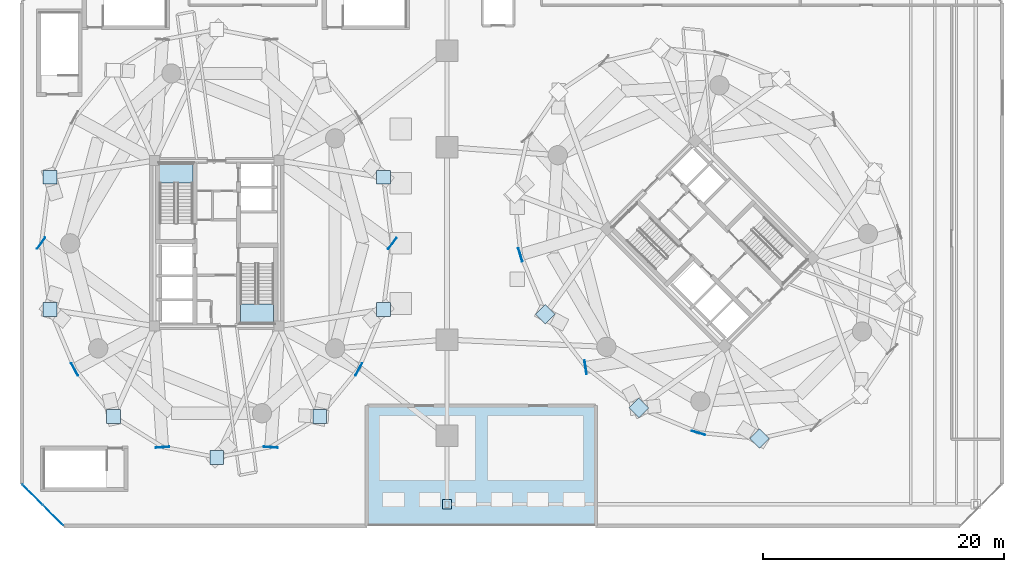
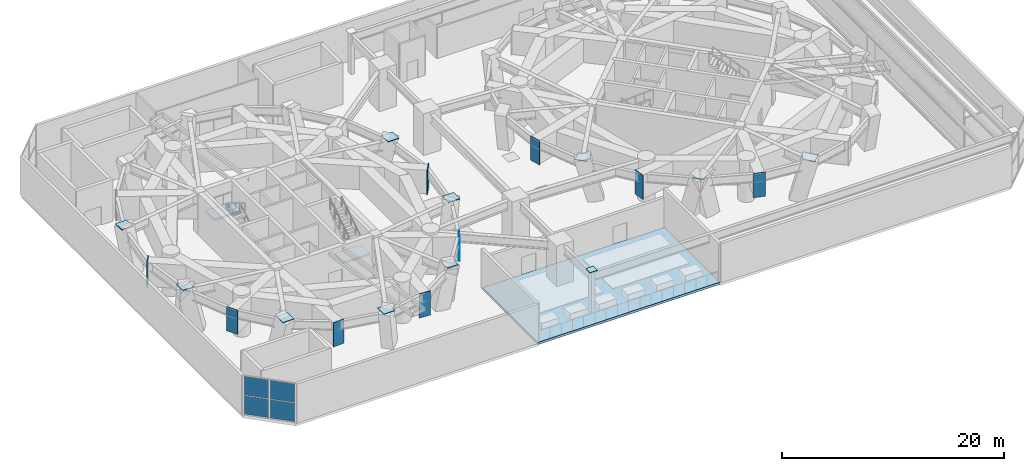
# One storey, part 13 of 25: 24 plates, 3 slabs, 3 elements without a shape of their own.
"""IFC4 building model written with IfcOpenShell, lengths in metres."""

from ifc_helpers import new_model, si_unit, direction, frame, origin, origin_2d, place, context, subcontext, project, spatial, polyline, rectangle, outline, extrude, source, transform, mapped, material, layer, layer_set, type_object, element, aggregate, save


model = new_model("IFC4")

# Units and contexts
model_context = context("Model", 3, precision=1e-05, world=origin(), true_north=direction((0.0, 1.0)))
body_context = subcontext(model_context, "Body", "Model", "MODEL_VIEW")
ifc_project = project(units=[si_unit("LENGTHUNIT", "METRE"), si_unit("AREAUNIT", "SQUARE_METRE"), si_unit("VOLUMEUNIT", "CUBIC_METRE"), si_unit("PLANEANGLEUNIT", "RADIAN"), si_unit("MASSUNIT", "GRAM", prefix="KILO")], contexts=[model_context])

# Site, building, storey
site_placement = place(None, origin())
site = spatial("IfcSite", under=ifc_project, at=site_placement, CompositionType="ELEMENT")
building_placement = place(site_placement, origin())
building = spatial("IfcBuilding", under=site, at=building_placement, Name="Cununo Teusaquillo Station Towers", CompositionType="ELEMENT")
storey_placement = place(building_placement, frame((0.0, 0.0, 17.39990234375)))
storey = spatial("IfcBuildingStorey", under=building, at=storey_placement, Name="L04", CompositionType="ELEMENT", Elevation=17.39990234375)

# Stair, slab
ifc_material_1 = material(Name="Concrete C50/60", Category="concrete")
stair_type = type_object("IfcStairType", Name="ST-TWR-1300", PredefinedType="HALF_TURN_STAIR", material=ifc_material_1)
stair_1_placement = place(storey_placement, origin())
stair_1 = element("IfcStair", 1, at=stair_1_placement, inside=storey, type_object=stair_type, Name="L04 Tower A Protected Core Exit Stair 1", PredefinedType="HALF_TURN_STAIR")
ifc_material_2 = material(Name="Concrete C50/60", Category="concrete")
ifc_layer_1 = layer(ifc_material_2, 0.199951171875)
ifc_layer_set_1 = layer_set([ifc_layer_1], Name="Concrete C50/60")
slab_type_1 = type_object("IfcSlabType", Name="SLB-STAIR-LND", PredefinedType="LANDING", material=ifc_layer_set_1)
slab_1_placement = place(storey_placement, frame((0.0, 0.0, 2.10009765625)))
slab_1 = element("IfcSlab", 2, at=slab_1_placement, type_object=slab_type_1, Name="ST-T1-1 landing 1", PredefinedType="LANDING", context=body_context, shape_type="SweptSolid", body=[
    extrude(outline(polyline([(14.52001953125, 29.530029296875), (14.52001953125, 31.159912109375), (11.760009765625, 31.159912109375), (11.760009765625, 29.530029296875), (14.52001953125, 29.530029296875)])), origin(), (0.0, 0.0, 1.0), 0.199951171875),
])
aggregate(stair_1, [slab_1])

stair_2_placement = place(storey_placement, origin())
stair_2 = element("IfcStair", 3, at=stair_2_placement, inside=storey, type_object=stair_type, Name="L04 Tower A Protected Core Exit Stair 2", PredefinedType="HALF_TURN_STAIR")
slab_2_placement = place(storey_placement, frame((0.0, 0.0, 2.10009765625)))
slab_2 = element("IfcSlab", 4, at=slab_2_placement, type_object=slab_type_1, Name="ST-T1-2 landing 1", PredefinedType="LANDING", context=body_context, shape_type="SweptSolid", body=[
    extrude(outline(polyline([(18.47998046875, 19.469970703125), (18.47998046875, 17.840087890625), (21.239990234375, 17.840087890625), (21.239990234375, 19.469970703125), (18.47998046875, 19.469970703125)])), origin(), (0.0, 0.0, 1.0), 0.199951171875),
])
aggregate(stair_2, [slab_2])

# Slab
ifc_material_3 = material(Name="Concrete C50/60", Category="concrete")
ifc_layer_2 = layer(ifc_material_3, 0.25)
ifc_layer_set_2 = layer_set([ifc_layer_2], Name="Concrete C50/60")
slab_type_2 = type_object("IfcSlabType", Name="SLB-TERR-250", PredefinedType="ROOF", material=ifc_layer_set_2)
slab_3_placement = place(storey_placement, frame((0.0, 0.0, -0.25)))
element("IfcSlab", 5, at=slab_3_placement, inside=storey, type_object=slab_type_2, Name="L04 Landscaped Podium Roof Terrace Slab", PredefinedType="ROOF", context=body_context, shape_type="SweptSolid", body=[
    extrude(outline(polyline([(29.0, 1.0048828125), (48.0, 1.0048828125), (48.0, 10.9951171875), (29.0, 10.9951171875), (29.0, 1.0048828125)])), origin(), (0.0, 0.0, 1.0), 0.25),
])

# Plates
ifc_material_4 = material(Name="Steel ASTM A572 Grade 50", Category="steel")
ifc_layer_3 = layer(ifc_material_4, 0.06005859375)
ifc_layer_set_3 = layer_set([ifc_layer_3], Name="Steel ASTM A572 Grade 50")
plate_type_1 = type_object("IfcPlateType", Name="PLT-NODE-BDN1", PredefinedType="USERDEFINED", material=ifc_layer_set_3)
shared_shape_1 = source(origin(), body_context, "Body", "SweptSolid", [
    extrude(rectangle(XDim=1.14990234375, YDim=1.14990234375, at=origin_2d()), origin(), (0.0, 0.0, 1.0), 0.06005859375),
])
for number, where, z_axis, x_axis, name in (
    (6, (30.35791015625, 29.997314453125, 4.5400390625), (0.0, 0.0, 1.0), (1.0, 0.0, 0.0), "L04 Tower A V-Foot Pier Head Plate V02L"),
    (7, (2.64208984375, 29.997314453125, 4.5400390625), (0.0, 0.0, 1.0), (1.0, 0.0, 0.0), "L04 Tower A V-Foot Pier Head Plate V10L"),
    (8, (2.64208984375, 19.002685546875, 4.5400390625), (0.0, 0.0, 1.0), (1.0, 0.0, 0.0), "L04 Tower A V-Foot Pier Head Plate V12L"),
    (9, (7.935302734375, 10.107666015625, 4.5400390625), (0.0, 0.0, 1.0), (1.0, 0.0, 0.0), "L04 Tower A V-Foot Pier Head Plate V12R"),
    (10, (16.5, 6.7099609375, 4.5400390625), (0.0, 0.0, 1.0), (1.0, 0.0, 0.0), "L04 Tower A V-Foot Pier Head Plate V16L"),
    (11, (25.064697265625, 10.107666015625, 4.5400390625), (0.0, 0.0, 1.0), (1.0, 0.0, 0.0), "L04 Tower A V-Foot Pier Head Plate V18L"),
    (12, (30.35791015625, 19.002685546875, 4.5400390625), (0.0, 0.0, 1.0), (1.0, 0.0, 0.0), "L04 Tower A V-Foot Pier Head Plate V18R"),
    (13, (43.813720703125, 18.58837890625, 4.5400390625), (0.0, 0.0, 1.0), (0.707106781187, 0.707106781187, 0.0), "L04 Tower B V-Foot Pier Head Plate V10L"),
    (14, (51.58837890625, 10.813720703125, 4.5400390625), (0.0, 0.0, 1.0), (0.707106781187, 0.707106781187, 0.0), "L04 Tower B V-Foot Pier Head Plate V12L"),
    (15, (61.620849609375, 8.266845703125, 4.5400390625), (0.0, 0.0, 1.0), (0.707106781187, 0.707106781187, 0.0), "L04 Tower B V-Foot Pier Head Plate V12R"),
):
    element("IfcPlate", number, at=place(storey_placement, frame(where, z_axis=z_axis, x_axis=x_axis)), inside=storey, type_object=plate_type_1, Name=name, ObjectType="BASE PLATE", PredefinedType="USERDEFINED", context=body_context, shape_type="MappedRepresentation", body=[
        mapped(shared_shape_1, transform((0.0, 0.0, 0.0), x_axis=(1.0, 0.0, 0.0), y_axis=(0.0, 1.0, 0.0), z_axis=(0.0, 0.0, 1.0), scale=1.0)),
    ])
shared_shape_2 = source(origin(), body_context, "Body", "SweptSolid", [
    extrude(rectangle(XDim=0.06005859375, YDim=1.14990234375, at=origin_2d()), origin(), (0.0, 0.0, 1.0), 2.659912109375),
])
for number, where, z_axis, x_axis, name in (
    (16, (31.09521484375, 24.482421875, 1.7099609375), (0.0, 0.0, 1.0), (0.806857219719, -0.590746499768, 0.0), "L04 Tower A Transfer Girder End-Cap Plate 01"),
    (17, (1.90478515625, 24.517578125, 1.7099609375), (0.0, 0.0, 1.0), (-0.806857219719, 0.590746499768, 0.0), "L04 Tower A Transfer Girder End-Cap Plate 06"),
    (18, (4.685302734375, 14.029052734375, 1.7099609375), (0.0, 0.0, 1.0), (-0.879565547385, -0.475777729464, 0.0), "L04 Tower A Transfer Girder End-Cap Plate 07"),
    (19, (11.999267578125, 7.55078125, 1.7099609375), (0.0, 0.0, 1.0), (0.066796338919, -0.997766630584, 0.0), "L04 Tower A Transfer Girder End-Cap Plate 08"),
    (20, (21.000732421875, 7.55078125, 1.7099609375), (0.0, 0.0, 1.0), (-0.066796338919, -0.997766630584, 0.0), "L04 Tower A Transfer Girder End-Cap Plate 09"),
    (21, (28.314697265625, 14.029052734375, 1.7099609375), (0.0, 0.0, 1.0), (0.879565547385, -0.475777729464, 0.0), "L04 Tower A Transfer Girder End-Cap Plate 10"),
    (22, (41.74169921875, 23.5498046875, 1.7099609375), (0.0, 0.0, 1.0), (-0.958372421895, -0.285521104212, 0.0), "L04 Tower B Transfer Girder End-Cap Plate 05"),
    (23, (47.1669921875, 14.192138671875, 1.7099609375), (0.0, 0.0, 1.0), (-0.98825506746, -0.152813355565, 0.0), "L04 Tower B Transfer Girder End-Cap Plate 06"),
    (24, (56.5498046875, 8.74169921875, 1.7099609375), (0.0, 0.0, 1.0), (-0.285521104212, -0.958372421895, 0.0), "L04 Tower B Transfer Girder End-Cap Plate 07"),
):
    element("IfcPlate", number, at=place(storey_placement, frame(where, z_axis=z_axis, x_axis=x_axis)), inside=storey, type_object=plate_type_1, Name=name, ObjectType="BASE PLATE", PredefinedType="USERDEFINED", context=body_context, shape_type="MappedRepresentation", body=[
        mapped(shared_shape_2, transform((0.0, 0.0, 0.0), x_axis=(1.0, 0.0, 0.0), y_axis=(0.0, 1.0, 0.0), z_axis=(0.0, 0.0, 1.0), scale=1.0)),
    ])
ifc_material_5 = material(Name="Steel ASTM A572 Grade 50", Category="steel")
ifc_layer_4 = layer(ifc_material_5, 0.0400390625)
ifc_layer_set_4 = layer_set([ifc_layer_4], Name="Steel ASTM A572 Grade 50")
plate_type_2 = type_object("IfcPlateType", Name="PLT-NODE-CRN1", PredefinedType="USERDEFINED", material=ifc_layer_set_4)
shared_shape_3 = source(origin(), body_context, "Body", "SweptSolid", [
    extrude(rectangle(XDim=0.780029296875, YDim=0.780029296875, at=origin_2d()), origin(), (0.0, 0.0, 1.0), 0.0400390625),
])
plate_1_placement = place(storey_placement, frame((35.64990234375, 2.800048828125, 4.60009765625), z_axis=(0.0, 0.0, 1.0), x_axis=(1.0, 0.0, 0.0)))
element("IfcPlate", 25, at=plate_1_placement, inside=storey, type_object=plate_type_2, Name="L04 Pilaster PIL-SW Sealed Top Cap Plate", ObjectType="GUSSET PLATE", PredefinedType="USERDEFINED", context=body_context, shape_type="MappedRepresentation", body=[
    mapped(shared_shape_3, transform((0.0, 0.0, 0.0), x_axis=(1.0, 0.0, 0.0), y_axis=(0.0, 1.0, 0.0), z_axis=(0.0, 0.0, 1.0), scale=1.0)),
])

# Curtain wall, plates
ifc_material_6 = material(Name="Ceramic-fritted dark low-E double glazing", Category="glass")
ifc_layer_5 = layer(ifc_material_6, 0.179931640625)
ifc_layer_set_5 = layer_set([ifc_layer_5], Name="Ceramic-fritted dark low-E double glazing")
curtain_wall_type = type_object("IfcCurtainWallType", Name="CW-SYS-01", PredefinedType="USERDEFINED", material=ifc_layer_set_5)
curtain_wall_placement = place(storey_placement, origin())
curtain_wall = element("IfcCurtainWall", 26, at=curtain_wall_placement, inside=storey, type_object=curtain_wall_type, Name="L04 Station Podium Corner Curtain Wall 8", ObjectType="FRITTED GLAZING", PredefinedType="USERDEFINED")
ifc_material_7 = material(Name="Ceramic-fritted dark low-E double glazing", Category="glass")
ifc_layer_6 = layer(ifc_material_7, 0.028076171875)
ifc_layer_set_6 = layer_set([ifc_layer_6], Name="Ceramic-fritted dark low-E double glazing")
plate_type_3 = type_object("IfcPlateType", Name="CWP-FRIT-28", PredefinedType="CURTAIN_PANEL", material=ifc_layer_set_6)
shared_shape_4 = source(origin(), body_context, "Body", "SweptSolid", [
    extrude(rectangle(XDim=2.35498046875, YDim=0.028076171875, at=origin_2d()), origin(), (0.0, 0.0, 1.0), 2.044921875),
])
plate_2_placement = place(storey_placement, frame((2.910888671875, 1.88916015625, 0.070068359375), z_axis=(0.0, 0.0, 1.0), x_axis=(-0.707106781187, 0.707106781187, 0.0)))
plate_2 = element("IfcPlate", 27, at=plate_2_placement, type_object=plate_type_3, Name="CW-01 panel 1.1", PredefinedType="CURTAIN_PANEL", context=body_context, shape_type="MappedRepresentation", body=[
    mapped(shared_shape_4, transform((0.0, 0.0, 0.0), x_axis=(1.0, 0.0, 0.0), y_axis=(0.0, 1.0, 0.0), z_axis=(0.0, 0.0, 1.0), scale=1.0)),
])
plate_3_placement = place(storey_placement, frame((1.189208984375, 3.61083984375, 0.070068359375), z_axis=(0.0, 0.0, 1.0), x_axis=(-0.707106781187, 0.707106781187, 0.0)))
plate_3 = element("IfcPlate", 28, at=plate_3_placement, type_object=plate_type_3, Name="CW-01 panel 2.1", PredefinedType="CURTAIN_PANEL", context=body_context, shape_type="MappedRepresentation", body=[
    mapped(shared_shape_4, transform((0.0, 0.0, 0.0), x_axis=(1.0, 0.0, 0.0), y_axis=(0.0, 1.0, 0.0), z_axis=(0.0, 0.0, 1.0), scale=1.0)),
])
shared_shape_5 = source(origin(), body_context, "Body", "SweptSolid", [
    extrude(rectangle(XDim=2.35498046875, YDim=0.028076171875, at=origin_2d()), origin(), (0.0, 0.0, 1.0), 2.070068359375),
])
plate_4_placement = place(storey_placement, frame((2.910888671875, 1.88916015625, 2.18505859375), z_axis=(0.0, 0.0, 1.0), x_axis=(-0.707106781187, 0.707106781187, 0.0)))
plate_4 = element("IfcPlate", 29, at=plate_4_placement, type_object=plate_type_3, Name="CW-01 panel 1.2", PredefinedType="CURTAIN_PANEL", context=body_context, shape_type="MappedRepresentation", body=[
    mapped(shared_shape_5, transform((0.0, 0.0, 0.0), x_axis=(1.0, 0.0, 0.0), y_axis=(0.0, 1.0, 0.0), z_axis=(0.0, 0.0, 1.0), scale=1.0)),
])
plate_5_placement = place(storey_placement, frame((1.189208984375, 3.61083984375, 2.18505859375), z_axis=(0.0, 0.0, 1.0), x_axis=(-0.707106781187, 0.707106781187, 0.0)))
plate_5 = element("IfcPlate", 30, at=plate_5_placement, type_object=plate_type_3, Name="CW-01 panel 2.2", PredefinedType="CURTAIN_PANEL", context=body_context, shape_type="MappedRepresentation", body=[
    mapped(shared_shape_5, transform((0.0, 0.0, 0.0), x_axis=(1.0, 0.0, 0.0), y_axis=(0.0, 1.0, 0.0), z_axis=(0.0, 0.0, 1.0), scale=1.0)),
])
aggregate(curtain_wall, [plate_2, plate_4, plate_3, plate_5])

save(model, "model.ifc")
